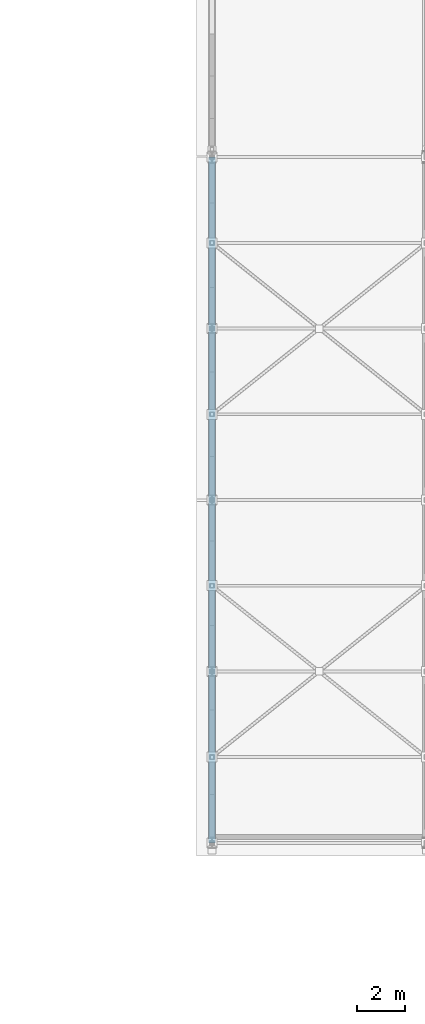
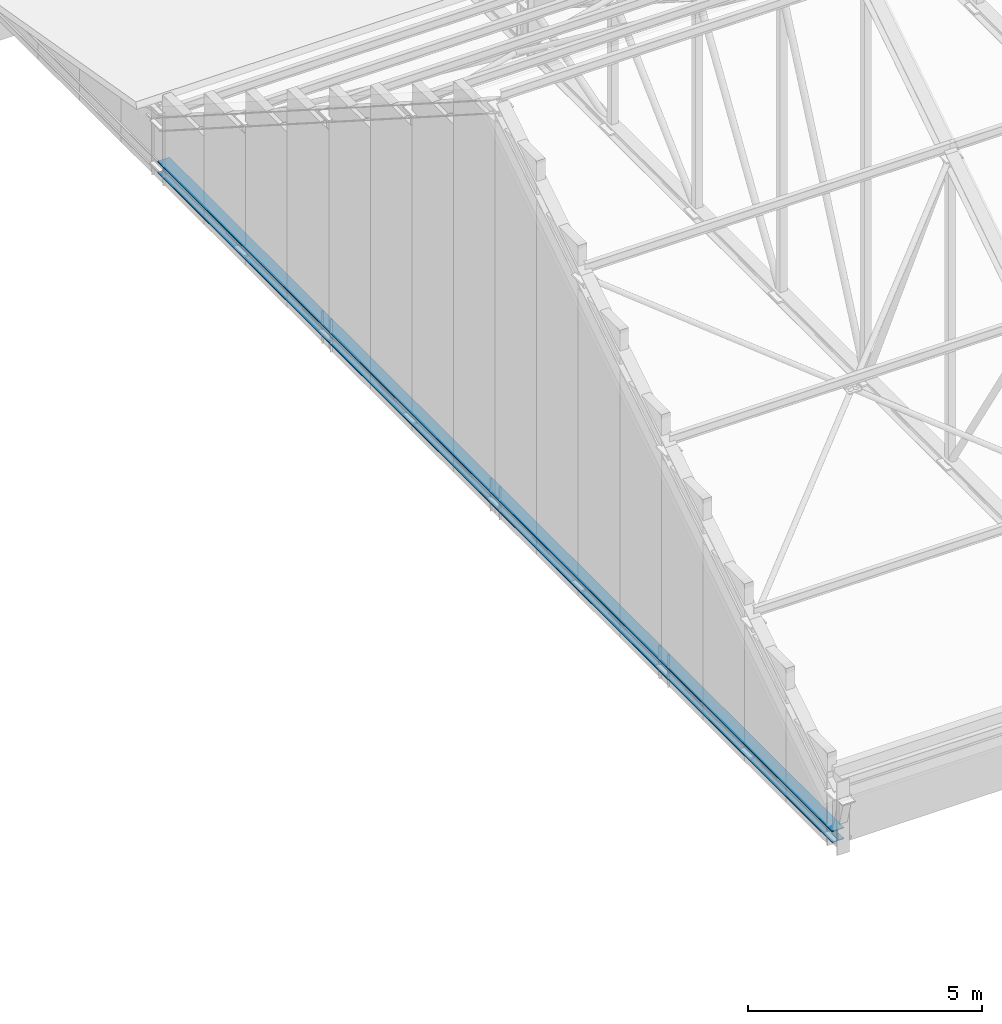
# One storey, part 81 of 182: 1 member.
"""IFC4 building model written with IfcOpenShell, lengths in metres."""

from ifc_helpers import new_model, si_unit, direction, frame, origin, origin_2d, place, context, subcontext, project, spatial, i_section, extrude, material, material_profile, profile_set, type_object, element, save


model = new_model("IFC4")

# Units and contexts
model_context = context("Model", 3, precision=1e-05, world=origin(), true_north=direction((0.0, 1.0)))
body_context = subcontext(model_context, "Body", "Model", "MODEL_VIEW")
ifc_project = project(units=[si_unit("LENGTHUNIT", "METRE"), si_unit("AREAUNIT", "SQUARE_METRE"), si_unit("VOLUMEUNIT", "CUBIC_METRE"), si_unit("PLANEANGLEUNIT", "RADIAN"), si_unit("MASSUNIT", "GRAM", prefix="KILO")], contexts=[model_context])

# Site, building, storey
site_placement = place(None, origin())
site = spatial("IfcSite", under=ifc_project, at=site_placement, CompositionType="ELEMENT")
building_placement = place(site_placement, origin())
building = spatial("IfcBuilding", under=site, at=building_placement, Name="Chiffa Square Polytechnic", CompositionType="ELEMENT")
storey_placement = place(building_placement, frame((0.0, 0.0, 9.60009765625)))
storey = spatial("IfcBuildingStorey", under=building, at=storey_placement, Name="L02", CompositionType="ELEMENT", Elevation=9.60009765625)

# Member
ifc_material = material(Name="Steel S355", Category="steel")
ifc_material_profile = material_profile(ifc_material, i_section(OverallWidth=0.300048828125, OverallDepth=0.300048828125, WebThickness=0.010986328125, FlangeThickness=0.01904296875, FilletRadius=0.027099609375, at=origin_2d()), Name="HEB 300")
ifc_profile_set = profile_set([ifc_material_profile], Name="Steel S355")
member_type = type_object("IfcMemberType", Name="MEM-CHORD-HEB300", PredefinedType="CHORD", material=ifc_profile_set)
member_placement = place(storey_placement, frame((112.199951171875, 58.199951171875, 0.349853515625), z_axis=(0.0, 1.0, 0.0), x_axis=(-1.0, 0.0, 0.0)))
element("IfcMember", 1, at=member_placement, inside=storey, type_object=member_type, Name="Workshop roof truss bottom chord TCB-V2-01", PredefinedType="CHORD", context=body_context, shape_type="SweptSolid", body=[
    extrude(i_section(OverallWidth=0.300048828125, OverallDepth=0.300048828125, WebThickness=0.010986328125, FlangeThickness=0.01904296875, FilletRadius=0.027099609375, at=origin_2d()), origin(), (0.0, 0.0, 1.0), 28.800048828125),
])

save(model, "model.ifc")
